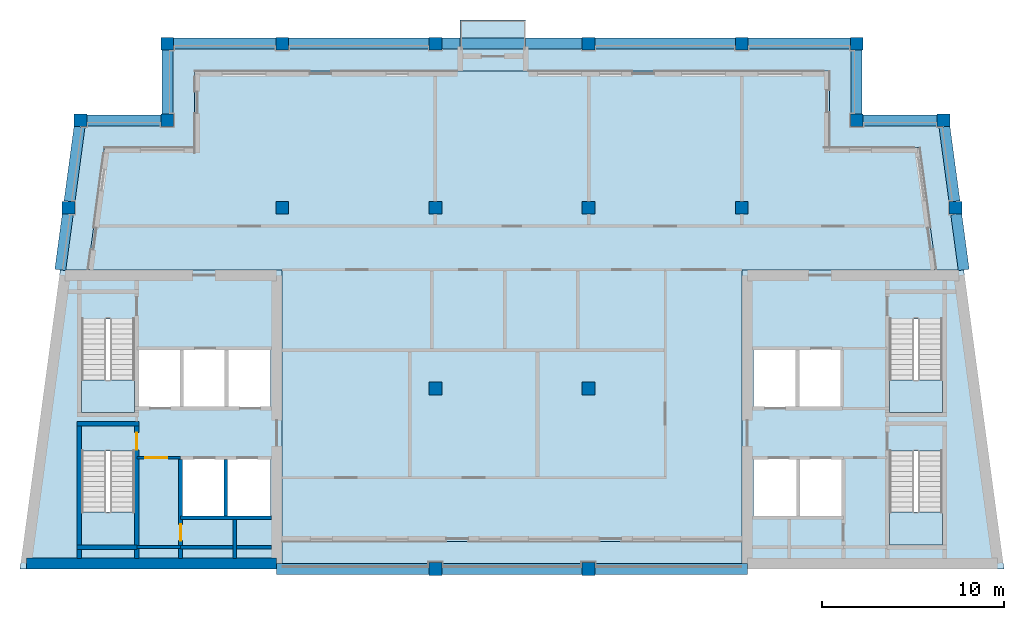
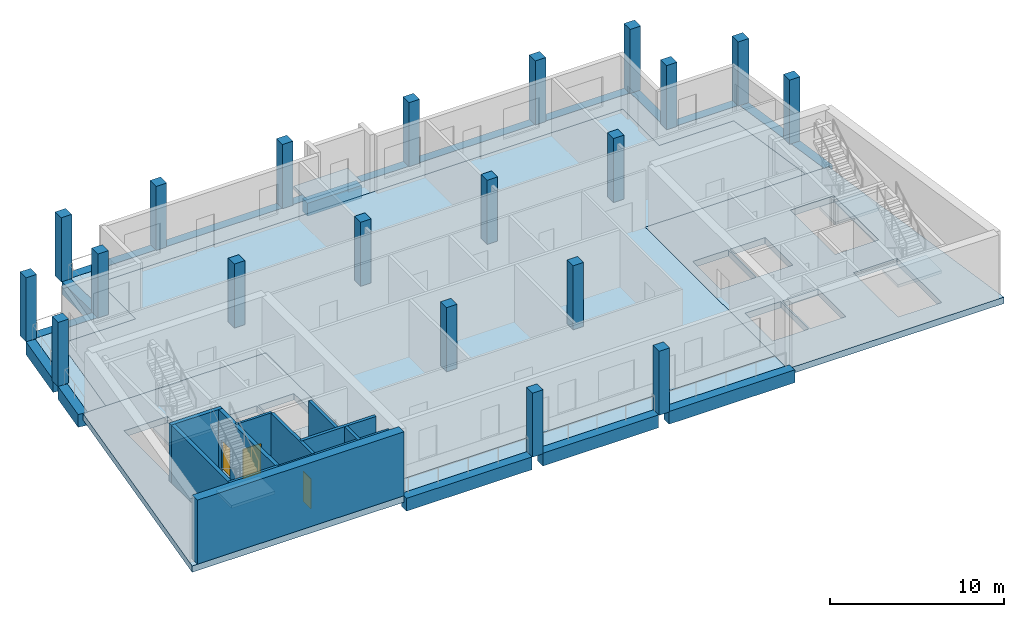
# One storey, part 1 of 8: 20 columns, 18 beams, 12 walls, 10 slabs, 3 doors, 3 openings, 4 elements without a shape of their own.
"""IFC4 building model written with IfcOpenShell, lengths in metres."""

import ifcopenshell
import ifcopenshell.guid

model = None  # the IFC model being written
_history = None  # IfcOwnerHistory: only IFC2X3 demands one
_inside = {}  # id of a spatial element -> (the spatial element, [elements in it])
_under = {}  # id of a project, library or spatial element -> (it, [spatial elements below it])
_declared = {}  # id of a project -> (the project, [libraries it declares])
_typed = {}  # id of a type object -> (the type object, [elements of that type])
_made_of = {}  # id of a material, layer set ... -> (it, [elements and type objects made of it])


def new_model(schema):
    """Start an empty IFC model of exactly this schema.

    Asked for "IFC4X3", IfcOpenShell would pick the latest addendum, in which some entities
    have other attributes; the version numbers below select the first issue.
    IFC2X3 requires an IfcOwnerHistory on every rooted entity: one is made here for all.
    """
    global model, _history
    if schema == "IFC4X3":
        model = ifcopenshell.file(schema_version=(4, 3, 0, 0))
    else:
        model = ifcopenshell.file(schema=schema)
    _inside.clear()
    _under.clear()
    _declared.clear()
    _typed.clear()
    _made_of.clear()
    _history = None
    if model.schema == "IFC2X3":
        org = make("IfcOrganization", Name="unknown")
        user = make(
            "IfcPersonAndOrganization",
            ThePerson=make("IfcPerson", FamilyName="unknown"),
            TheOrganization=org,
        )
        app = make(
            "IfcApplication",
            ApplicationDeveloper=org,
            Version="unknown",
            ApplicationFullName="unknown",
            ApplicationIdentifier="unknown",
        )
        _history = make(
            "IfcOwnerHistory",
            OwningUser=user,
            OwningApplication=app,
            ChangeAction="ADDED",
            CreationDate=0,
        )
    return model


def make(cls, **values):
    """One entity of the class cls with the attributes given. An attribute that is None is left unset."""
    return model.create_entity(
        cls, **{name: value for name, value in values.items() if value is not None}
    )


def rooted(cls, **values):
    """An entity with a GlobalId (a new one), such as an element, a storey or a relation."""
    return make(cls, GlobalId=ifcopenshell.guid.new(), OwnerHistory=_history, **values)


def si_unit(unit_type, name, prefix=None):
    """IfcSIUnit, for example si_unit("LENGTHUNIT", "METRE", prefix="MILLI")."""
    return make("IfcSIUnit", UnitType=unit_type, Prefix=prefix, Name=name)


def assignment(units):
    """IfcUnitAssignment: the units of a project."""
    return None if units is None else make("IfcUnitAssignment", Units=units)


def point(xyz):
    """IfcCartesianPoint."""
    return None if xyz is None else make("IfcCartesianPoint", Coordinates=xyz)


def direction(xyz):
    """IfcDirection."""
    return None if xyz is None else make("IfcDirection", DirectionRatios=xyz)


def frame(location, z_axis=None, x_axis=None):
    """IfcAxis2Placement3D, a coordinate frame: its origin and axes. An axis left out is left unset."""
    return make(
        "IfcAxis2Placement3D",
        Location=point(location),
        Axis=direction(z_axis),
        RefDirection=direction(x_axis),
    )


def frame_2d(location, x_axis=None):
    """IfcAxis2Placement2D, a coordinate frame in the plane: its origin and x axis."""
    return make(
        "IfcAxis2Placement2D", Location=point(location), RefDirection=direction(x_axis)
    )


def origin():
    """The frame at (0, 0, 0) with its axes left unset."""
    return frame((0.0, 0.0, 0.0))


def origin_2d():
    """The frame at (0, 0) in the plane with its x axis left unset."""
    return frame_2d((0.0, 0.0))


def place(relative_to, where):
    """IfcLocalPlacement: puts the frame where relative to a parent placement (None: the world)."""
    return make(
        "IfcLocalPlacement", PlacementRelTo=relative_to, RelativePlacement=where
    )


def context(
    kind, dimensions, precision=None, world=None, true_north=None, identifier=None
):
    """IfcGeometricRepresentationContext, for example the 3D "Model" context."""
    return make(
        "IfcGeometricRepresentationContext",
        ContextIdentifier=identifier,
        ContextType=kind,
        CoordinateSpaceDimension=dimensions,
        Precision=precision,
        WorldCoordinateSystem=world,
        TrueNorth=true_north,
    )


def subcontext(parent, identifier, kind, view, scale=None):
    """IfcGeometricRepresentationSubContext, for example "Body" below "Model"."""
    return make(
        "IfcGeometricRepresentationSubContext",
        ContextIdentifier=identifier,
        ContextType=kind,
        ParentContext=parent,
        TargetScale=scale,
        TargetView=view,
    )


def project(units=None, contexts=None):
    """IfcProject with its units and contexts."""
    return rooted(
        "IfcProject",
        Name="project",
        RepresentationContexts=contexts,
        UnitsInContext=assignment(units),
    )


def spatial(cls, under=None, at=None, **own):
    """A site, building, storey or space (cls), placed at a placement, below another one or the project."""
    s = rooted(cls, ObjectPlacement=at, **own)
    if under is not None:
        _under.setdefault(under.id(), (under, []))[1].append(s)
    return s


def polyline(points):
    """IfcPolyline through the points."""
    return make("IfcPolyline", Points=[point(p) for p in points])


def profile(cls, at=None, kind="AREA", **sizes):
    """A parametric profile (cls). Its sizes go by their IFC names, for example OverallWidth=200.0."""
    return make(cls, ProfileType=kind, Position=at, **sizes)


def rectangle(**sizes):
    """IfcRectangleProfileDef."""
    return profile("IfcRectangleProfileDef", **sizes)


def outline(outer, holes=None, kind="AREA"):
    """IfcArbitraryClosedProfileDef: a profile drawn as a closed curve; with holes, ...WithVoids."""
    if holes is None:
        return make("IfcArbitraryClosedProfileDef", ProfileType=kind, OuterCurve=outer)
    return make(
        "IfcArbitraryProfileDefWithVoids",
        ProfileType=kind,
        OuterCurve=outer,
        InnerCurves=holes,
    )


def extrude(swept, where, along, depth):
    """IfcExtrudedAreaSolid: the profile swept, set in the frame where, extruded along a direction by depth."""
    return make(
        "IfcExtrudedAreaSolid",
        SweptArea=swept,
        Position=where,
        ExtrudedDirection=direction(along),
        Depth=depth,
    )


def shape(context_of_items, identifier, shape_type, items):
    """IfcShapeRepresentation: the items that make up one representation, for example the "Body"."""
    return make(
        "IfcShapeRepresentation",
        ContextOfItems=context_of_items,
        RepresentationIdentifier=identifier,
        RepresentationType=shape_type,
        Items=items,
    )


def material(Name=None, Category=None):
    """IfcMaterial."""
    return make("IfcMaterial", Name=Name, Category=Category)


def layer(
    of_material, thickness, ventilated=None, Name=None, Category=None, Priority=None
):
    """IfcMaterialLayer: one layer of a wall or slab, of a material (None: an air gap)."""
    return make(
        "IfcMaterialLayer",
        Material=of_material,
        LayerThickness=thickness,
        IsVentilated=ventilated,
        Name=Name,
        Category=Category,
        Priority=Priority,
    )


def layer_set(layers, Name=None):
    """IfcMaterialLayerSet."""
    return make("IfcMaterialLayerSet", MaterialLayers=layers, LayerSetName=Name)


def material_profile(
    of_material, cross_section, Name=None, Category=None, Priority=None
):
    """IfcMaterialProfile: a cross section and its material."""
    return make(
        "IfcMaterialProfile",
        Name=Name,
        Material=of_material,
        Profile=cross_section,
        Priority=Priority,
        Category=Category,
    )


def profile_set(profiles, Name=None, composite=None):
    """IfcMaterialProfileSet."""
    return make(
        "IfcMaterialProfileSet",
        Name=Name,
        MaterialProfiles=profiles,
        CompositeProfile=composite,
    )


def made_of(thing, what):
    """Note that an element or type object is made of a material, layer set ...; save() writes the relation."""
    if what is not None:
        _made_of.setdefault(what.id(), (what, []))[1].append(thing)
    return thing


def type_object(cls, material=None, **own):
    """A type object (cls), such as IfcWallType, which elements share."""
    return made_of(rooted(cls, **own), material)


def element(
    cls,
    number,
    at=None,
    inside=None,
    cuts=None,
    type_object=None,
    material=None,
    context=None,
    identifier="Body",
    shape_type=None,
    held_by="IfcProductDefinitionShape",
    body=None,
    shapes=None,
    **own,
):
    """One element of the class cls, such as IfcWall. Its Tag is "e" and its number.

    at: its placement. inside: the storey or other place that contains it. cuts: it is an
    opening in that element (IfcRelVoidsElement). A single representation is given by context,
    identifier, shape_type and body (its items); several are given by shapes. held_by: the class
    of the entity that holds the representations. save() writes the other relations.
    """
    e = rooted(cls, Tag="e%d" % number, ObjectPlacement=at, **own)
    if body is not None:
        shapes = [shape(context, identifier, shape_type, body)]
    if shapes is not None:
        e.Representation = make(held_by, Representations=shapes)
    if inside is not None:
        _inside.setdefault(inside.id(), (inside, []))[1].append(e)
    if cuts is not None:
        rooted(
            "IfcRelVoidsElement", RelatingBuildingElement=cuts, RelatedOpeningElement=e
        )
    if type_object is not None:
        _typed.setdefault(type_object.id(), (type_object, []))[1].append(e)
    return made_of(e, material)


def fill(opening, filler):
    """IfcRelFillsElement: the door or window that sits in an opening."""
    return rooted(
        "IfcRelFillsElement",
        RelatingOpeningElement=opening,
        RelatedBuildingElement=filler,
    )


def aggregate(whole, parts):
    """IfcRelAggregates: a whole, such as a stair, and the parts it consists of."""
    return rooted("IfcRelAggregates", RelatingObject=whole, RelatedObjects=parts)


def save(model, path):
    """Write the relations noted so far, then the file.

    IfcRelAggregates (storeys below a building ...), IfcRelContainedInSpatialStructure (elements
    in a storey), IfcRelDefinesByType, IfcRelAssociatesMaterial and IfcRelDeclares: one each for
    every whole, place, type object, material and project.
    """
    for whole, parts in _under.values():
        aggregate(whole, parts)
    for where, things in _inside.values():
        rooted(
            "IfcRelContainedInSpatialStructure",
            RelatedElements=things,
            RelatingStructure=where,
        )
    for kind, things in _typed.values():
        rooted("IfcRelDefinesByType", RelatedObjects=things, RelatingType=kind)
    for what, things in _made_of.values():
        rooted("IfcRelAssociatesMaterial", RelatedObjects=things, RelatingMaterial=what)
    for by, libraries in _declared.values():
        rooted("IfcRelDeclares", RelatingContext=by, RelatedDefinitions=libraries)
    model.write(path)


model = new_model("IFC4")

# Units and contexts
model_context = context("Model", 3, precision=1e-05, world=origin(), true_north=direction((0.0, 1.0)))
body_context = subcontext(model_context, "Body", "Model", "MODEL_VIEW")
ifc_project = project(units=[si_unit("LENGTHUNIT", "METRE"), si_unit("AREAUNIT", "SQUARE_METRE"), si_unit("VOLUMEUNIT", "CUBIC_METRE"), si_unit("PLANEANGLEUNIT", "RADIAN"), si_unit("MASSUNIT", "GRAM", prefix="KILO")], contexts=[model_context])

# Site, building, storey
site_placement = place(None, origin())
site = spatial("IfcSite", under=ifc_project, at=site_placement, CompositionType="ELEMENT")
building_placement = place(site_placement, origin())
building = spatial("IfcBuilding", under=site, at=building_placement, Name="Candeia Pilgrim Tower and Theatre", CompositionType="ELEMENT")
storey_placement = place(building_placement, frame((0.0, 0.0, 315.39990234375)))
storey = spatial("IfcBuildingStorey", under=building, at=storey_placement, Name="L76", CompositionType="ELEMENT", Elevation=315.39990234375)

# Columns
ifc_material_1 = material(Name="Concrete C40/50", Category="concrete")
ifc_material_profile_1 = material_profile(ifc_material_1, rectangle(XDim=0.699951171875, YDim=0.699951171875, at=origin_2d()))
ifc_profile_set_1 = profile_set([ifc_material_profile_1], Name="Concrete C40/50")
column_type = type_object("IfcColumnType", Name="RC 700x700 C40/50", PredefinedType="COLUMN", material=ifc_profile_set_1)
for number, where, z_axis, x_axis, name in (
    (1, (94.5, 140.60009765625, 0.0), (0.0, 0.0, 1.0), (1.0, 0.0, 0.0), "Column NNW"),
    (2, (132.300048828125, 140.60009765625, 0.0), (0.0, 0.0, 1.0), (1.0, 0.0, 0.0), "Column NNE"),
    (3, (89.734619140625, 140.60009765625, 0.0), (0.0, 0.0, 1.0), (1.0, 0.0, 0.0), "Column LNW"),
    (4, (137.0654296875, 140.60009765625, 0.0), (0.0, 0.0, 1.0), (1.0, 0.0, 0.0), "Column LNE"),
    (5, (109.199951171875, 116.0, 0.0), (0.0, 0.0, 1.0), (1.0, 0.0, 0.0), "Column C3"),
    (6, (117.60009765625, 116.0, 0.0), (0.0, 0.0, 1.0), (1.0, 0.0, 0.0), "Column C4"),
    (7, (109.199951171875, 125.89990234375, 0.0), (0.0, 0.0, 1.0), (1.0, 0.0, 0.0), "Column D3"),
    (8, (117.60009765625, 125.89990234375, 0.0), (0.0, 0.0, 1.0), (1.0, 0.0, 0.0), "Column D4"),
    (9, (100.800048828125, 135.800048828125, 0.0), (0.0, 0.0, 1.0), (1.0, 0.0, 0.0), "Column E2"),
    (10, (109.199951171875, 135.800048828125, 0.0), (0.0, 0.0, 1.0), (1.0, 0.0, 0.0), "Column E3"),
    (11, (117.60009765625, 135.800048828125, 0.0), (0.0, 0.0, 1.0), (1.0, 0.0, 0.0), "Column E4"),
    (12, (126.0, 135.800048828125, 0.0), (0.0, 0.0, 1.0), (1.0, 0.0, 0.0), "Column E5"),
    (13, (89.08837890625, 135.800048828125, 0.0), (0.0, 0.0, 1.0), (1.0, 0.0, 0.0), "Column EW"),
    (14, (137.71142578125, 135.800048828125, 0.0), (0.0, 0.0, 1.0), (1.0, 0.0, 0.0), "Column EE"),
    (15, (100.800048828125, 144.800048828125, 0.0), (0.0, 0.0, 1.0), (1.0, 0.0, 0.0), "Column F2"),
    (16, (109.199951171875, 144.800048828125, 0.0), (0.0, 0.0, 1.0), (1.0, 0.0, 0.0), "Column F3"),
    (17, (117.60009765625, 144.800048828125, 0.0), (0.0, 0.0, 1.0), (1.0, 0.0, 0.0), "Column F4"),
    (18, (126.0, 144.800048828125, 0.0), (0.0, 0.0, 1.0), (1.0, 0.0, 0.0), "Column F5"),
    (19, (94.5, 144.800048828125, 0.0), (0.0, 0.0, 1.0), (1.0, 0.0, 0.0), "Column FW"),
    (20, (132.300048828125, 144.800048828125, 0.0), (0.0, 0.0, 1.0), (1.0, 0.0, 0.0), "Column FE"),
):
    element("IfcColumn", number, at=place(storey_placement, frame(where, z_axis=z_axis, x_axis=x_axis)), inside=storey, type_object=column_type, Name=name, PredefinedType="COLUMN", context=body_context, shape_type="SweptSolid", body=[
        extrude(rectangle(XDim=0.699951171875, YDim=0.699951171875, at=origin_2d()), origin(), (0.0, 0.0, 1.0), 4.5),
    ])

# Beams
ifc_material_profile_2 = material_profile(ifc_material_1, rectangle(XDim=0.60009765625, YDim=0.89990234375, at=origin_2d()))
ifc_profile_set_2 = profile_set([ifc_material_profile_2], Name="Concrete C40/50")
beam_type = type_object("IfcBeamType", Name="RC 600x900 C40/50", PredefinedType="BEAM", material=ifc_profile_set_2)
beam_1_placement = place(storey_placement, frame((90.084716796875, 140.60009765625, -0.449951171875), z_axis=(1.0, 0.0, 0.0), x_axis=(0.0, 1.0, 0.0)))
element("IfcBeam", 21, at=beam_1_placement, inside=storey, type_object=beam_type, Name="Spandrel beam L76-01", PredefinedType="BEAM", context=body_context, shape_type="SweptSolid", body=[
    extrude(rectangle(XDim=0.60009765625, YDim=0.89990234375, at=origin_2d()), origin(), (0.0, 0.0, 1.0), 4.065185546875),
])
beam_2_placement = place(storey_placement, frame((94.5, 140.949951171875, -0.449951171875), z_axis=(0.0, 1.0, 0.0), x_axis=(-1.0, 0.0, 0.0)))
element("IfcBeam", 22, at=beam_2_placement, inside=storey, type_object=beam_type, Name="Spandrel beam L76-02", PredefinedType="BEAM", context=body_context, shape_type="SweptSolid", body=[
    extrude(rectangle(XDim=0.60009765625, YDim=0.89990234375, at=origin_2d()), origin(), (0.0, 0.0, 1.0), 3.5),
])
beam_3_placement = place(storey_placement, frame((94.85009765625, 144.800048828125, -0.449951171875), z_axis=(1.0, 0.0, 0.0), x_axis=(0.0, 1.0, 0.0)))
element("IfcBeam", 23, at=beam_3_placement, inside=storey, type_object=beam_type, Name="Spandrel beam L76-03", PredefinedType="BEAM", context=body_context, shape_type="SweptSolid", body=[
    extrude(rectangle(XDim=0.60009765625, YDim=0.89990234375, at=origin_2d()), origin(), (0.0, 0.0, 1.0), 5.599853515625),
])
beam_4_placement = place(storey_placement, frame((101.14990234375, 144.800048828125, -0.449951171875), z_axis=(1.0, 0.0, 0.0), x_axis=(0.0, 1.0, 0.0)))
element("IfcBeam", 24, at=beam_4_placement, inside=storey, type_object=beam_type, Name="Spandrel beam L76-04", PredefinedType="BEAM", context=body_context, shape_type="SweptSolid", body=[
    extrude(rectangle(XDim=0.60009765625, YDim=0.89990234375, at=origin_2d()), origin(), (0.0, 0.0, 1.0), 7.7001953125),
])
beam_5_placement = place(storey_placement, frame((109.550048828125, 144.800048828125, -0.449951171875), z_axis=(1.0, 0.0, 0.0), x_axis=(0.0, 1.0, 0.0)))
element("IfcBeam", 25, at=beam_5_placement, inside=storey, type_object=beam_type, Name="Spandrel beam L76-05", PredefinedType="BEAM", context=body_context, shape_type="SweptSolid", body=[
    extrude(rectangle(XDim=0.60009765625, YDim=0.89990234375, at=origin_2d()), origin(), (0.0, 0.0, 1.0), 1.0),
])
beam_6_placement = place(storey_placement, frame((110.550048828125, 144.800048828125, -0.699951171875), z_axis=(1.0, 0.0, 0.0), x_axis=(0.0, 1.0, 0.0)))
element("IfcBeam", 26, at=beam_6_placement, inside=storey, type_object=beam_type, Name="Spandrel beam L76-06", PredefinedType="BEAM", context=body_context, shape_type="SweptSolid", body=[
    extrude(rectangle(XDim=0.60009765625, YDim=0.89990234375, at=origin_2d()), origin(), (0.0, 0.0, 1.0), 3.599853515625),
])
beam_7_placement = place(storey_placement, frame((114.14990234375, 144.800048828125, -0.449951171875), z_axis=(1.0, 0.0, 0.0), x_axis=(0.0, 1.0, 0.0)))
element("IfcBeam", 27, at=beam_7_placement, inside=storey, type_object=beam_type, Name="Spandrel beam L76-07", PredefinedType="BEAM", context=body_context, shape_type="SweptSolid", body=[
    extrude(rectangle(XDim=0.60009765625, YDim=0.89990234375, at=origin_2d()), origin(), (0.0, 0.0, 1.0), 3.10009765625),
])
beam_8_placement = place(storey_placement, frame((117.949951171875, 144.800048828125, -0.449951171875), z_axis=(1.0, 0.0, 0.0), x_axis=(0.0, 1.0, 0.0)))
element("IfcBeam", 28, at=beam_8_placement, inside=storey, type_object=beam_type, Name="Spandrel beam L76-08", PredefinedType="BEAM", context=body_context, shape_type="SweptSolid", body=[
    extrude(rectangle(XDim=0.60009765625, YDim=0.89990234375, at=origin_2d()), origin(), (0.0, 0.0, 1.0), 7.699951171875),
])
beam_9_placement = place(storey_placement, frame((126.35009765625, 144.800048828125, -0.449951171875), z_axis=(1.0, 0.0, 0.0), x_axis=(0.0, 1.0, 0.0)))
element("IfcBeam", 29, at=beam_9_placement, inside=storey, type_object=beam_type, Name="Spandrel beam L76-09", PredefinedType="BEAM", context=body_context, shape_type="SweptSolid", body=[
    extrude(rectangle(XDim=0.60009765625, YDim=0.89990234375, at=origin_2d()), origin(), (0.0, 0.0, 1.0), 5.599853515625),
])
beam_10_placement = place(storey_placement, frame((132.300048828125, 144.449951171875, -0.449951171875), z_axis=(0.0, -1.0, 0.0), x_axis=(1.0, 0.0, 0.0)))
element("IfcBeam", 30, at=beam_10_placement, inside=storey, type_object=beam_type, Name="Spandrel beam L76-10", PredefinedType="BEAM", context=body_context, shape_type="SweptSolid", body=[
    extrude(rectangle(XDim=0.60009765625, YDim=0.89990234375, at=origin_2d()), origin(), (0.0, 0.0, 1.0), 3.5),
])
beam_11_placement = place(storey_placement, frame((132.64990234375, 140.60009765625, -0.449951171875), z_axis=(1.0, 0.0, 0.0), x_axis=(0.0, 1.0, 0.0)))
element("IfcBeam", 31, at=beam_11_placement, inside=storey, type_object=beam_type, Name="Spandrel beam L76-11", PredefinedType="BEAM", context=body_context, shape_type="SweptSolid", body=[
    extrude(rectangle(XDim=0.60009765625, YDim=0.89990234375, at=origin_2d()), origin(), (0.0, 0.0, 1.0), 4.0654296875),
])
beam_12_placement = place(storey_placement, frame((137.112548828125, 140.25, -0.449951171875), z_axis=(0.133369654618, -0.991066362676, 0.0), x_axis=(0.991066362676, 0.133369654618, 0.0)))
element("IfcBeam", 32, at=beam_12_placement, inside=storey, type_object=beam_type, Name="Spandrel beam L76-12", PredefinedType="BEAM", context=body_context, shape_type="SweptSolid", body=[
    extrude(rectangle(XDim=0.60009765625, YDim=0.89990234375, at=origin_2d()), origin(), (0.0, 0.0, 1.0), 4.136962890625),
])
beam_13_placement = place(storey_placement, frame((137.758544921875, 135.449951171875, -0.449951171875), z_axis=(0.133431491393, -0.991058039221, 0.0), x_axis=(0.991058039221, 0.133431491393, 0.0)))
element("IfcBeam", 33, at=beam_13_placement, inside=storey, type_object=beam_type, Name="Spandrel beam L76-13", PredefinedType="BEAM", context=body_context, shape_type="SweptSolid", body=[
    extrude(rectangle(XDim=0.60009765625, YDim=0.89990234375, at=origin_2d()), origin(), (0.0, 0.0, 1.0), 3.07763671875),
])
beam_14_placement = place(storey_placement, frame((126.300048828125, 116.0, -0.449951171875), z_axis=(-1.0, 0.0, 0.0), x_axis=(0.0, -1.0, 0.0)))
element("IfcBeam", 34, at=beam_14_placement, inside=storey, type_object=beam_type, Name="Spandrel beam L76-14", PredefinedType="BEAM", context=body_context, shape_type="SweptSolid", body=[
    extrude(rectangle(XDim=0.60009765625, YDim=0.89990234375, at=origin_2d()), origin(), (0.0, 0.0, 1.0), 8.35009765625),
])
beam_15_placement = place(storey_placement, frame((117.25, 116.0, -0.449951171875), z_axis=(-1.0, 0.0, 0.0), x_axis=(0.0, -1.0, 0.0)))
element("IfcBeam", 35, at=beam_15_placement, inside=storey, type_object=beam_type, Name="Spandrel beam L76-15", PredefinedType="BEAM", context=body_context, shape_type="SweptSolid", body=[
    extrude(rectangle(XDim=0.60009765625, YDim=0.89990234375, at=origin_2d()), origin(), (0.0, 0.0, 1.0), 7.699951171875),
])
beam_16_placement = place(storey_placement, frame((108.85009765625, 116.0, -0.449951171875), z_axis=(-1.0, 0.0, 0.0), x_axis=(0.0, -1.0, 0.0)))
element("IfcBeam", 36, at=beam_16_placement, inside=storey, type_object=beam_type, Name="Spandrel beam L76-16", PredefinedType="BEAM", context=body_context, shape_type="SweptSolid", body=[
    extrude(rectangle(XDim=0.60009765625, YDim=0.89990234375, at=origin_2d()), origin(), (0.0, 0.0, 1.0), 8.35009765625),
])
beam_17_placement = place(storey_placement, frame((88.630859375, 132.39990234375, -0.449951171875), z_axis=(0.13335357346, 0.991068526614, 0.0), x_axis=(-0.991068526614, 0.13335357346, 0.0)))
element("IfcBeam", 37, at=beam_17_placement, inside=storey, type_object=beam_type, Name="Spandrel beam L76-17", PredefinedType="BEAM", context=body_context, shape_type="SweptSolid", body=[
    extrude(rectangle(XDim=0.60009765625, YDim=0.89990234375, at=origin_2d()), origin(), (0.0, 0.0, 1.0), 3.07763671875),
])
beam_18_placement = place(storey_placement, frame((89.135498046875, 136.14990234375, -0.449951171875), z_axis=(0.133427617361, 0.991058560795, 0.0), x_axis=(-0.991058560795, 0.133427617361, 0.0)))
element("IfcBeam", 38, at=beam_18_placement, inside=storey, type_object=beam_type, Name="Spandrel beam L76-18", PredefinedType="BEAM", context=body_context, shape_type="SweptSolid", body=[
    extrude(rectangle(XDim=0.60009765625, YDim=0.89990234375, at=origin_2d()), origin(), (0.0, 0.0, 1.0), 4.13720703125),
])

# Slabs
ifc_layer_1 = layer(ifc_material_1, 0.25)
ifc_layer_set_1 = layer_set([ifc_layer_1], Name="BK1 balcony slab 250")
slab_type_1 = type_object("IfcSlabType", Name="BK1 balcony slab 250", PredefinedType="USERDEFINED", material=ifc_layer_set_1)
slab_1_placement = place(storey_placement, frame((0.0, 0.0, -0.25)))
element("IfcSlab", 39, at=slab_1_placement, inside=storey, type_object=slab_type_1, Name="Balcony L76", ObjectType="BALCONY", PredefinedType="USERDEFINED", context=body_context, shape_type="SweptSolid", body=[
    extrude(outline(polyline([(110.550048828125, 144.5), (114.14990234375, 144.5), (114.14990234375, 146.10009765625), (110.550048828125, 146.10009765625), (110.550048828125, 144.5)])), origin(), (0.0, 0.0, 1.0), 0.25),
])
ifc_material_2 = material(Name="Concrete C60/75", Category="concrete")
ifc_layer_2 = layer(ifc_material_2, 0.449951171875)
ifc_layer_set_2 = layer_set([ifc_layer_2], Name="FS-CORE 450 core floor")
slab_type_2 = type_object("IfcSlabType", Name="FS-CORE 450 core floor", PredefinedType="FLOOR", material=ifc_layer_set_2)
slab_2_placement = place(storey_placement, frame((0.0, 0.0, -0.449951171875)))
element("IfcSlab", 40, at=slab_2_placement, inside=storey, type_object=slab_type_2, Name="Core floor W L76", PredefinedType="FLOOR", context=body_context, shape_type="SweptSolid", body=[
    extrude(outline(polyline([(100.800048828125, 132.39990234375), (100.800048828125, 116.0), (86.423095703125, 116.0), (88.630859375, 132.39990234375), (100.800048828125, 132.39990234375)]), holes=[polyline([(97.763427734375, 122.050048828125), (97.763427734375, 118.85009765625), (100.14990234375, 118.85009765625), (100.14990234375, 122.050048828125), (97.763427734375, 122.050048828125)]), polyline([(97.792236328125, 128.050048828125), (97.792236328125, 124.85009765625), (100.14990234375, 124.85009765625), (100.14990234375, 128.050048828125), (97.792236328125, 128.050048828125)]), polyline([(95.334716796875, 128.050048828125), (95.334716796875, 124.85009765625), (97.6923828125, 124.85009765625), (97.6923828125, 128.050048828125), (95.334716796875, 128.050048828125)]), polyline([(95.277099609375, 122.050048828125), (95.277099609375, 118.85009765625), (97.66357421875, 118.85009765625), (97.66357421875, 122.050048828125), (95.277099609375, 122.050048828125)]), polyline([(92.876953125, 128.050048828125), (92.876953125, 124.85009765625), (95.234619140625, 124.85009765625), (95.234619140625, 128.050048828125), (92.876953125, 128.050048828125)]), polyline([(89.802001953125, 117.324951171875), (92.701904296875, 117.324951171875), (92.701904296875, 122.455078125), (89.802001953125, 122.455078125), (89.802001953125, 117.324951171875)]), polyline([(89.802001953125, 129.705078125), (89.802001953125, 124.574951171875), (92.701904296875, 124.574951171875), (92.701904296875, 129.705078125), (89.802001953125, 129.705078125)])]), origin(), (0.0, 0.0, 1.0), 0.449951171875),
])
slab_3_placement = place(storey_placement, frame((0.0, 0.0, -0.449951171875)))
element("IfcSlab", 41, at=slab_3_placement, inside=storey, type_object=slab_type_2, Name="Core floor E L76", PredefinedType="FLOOR", context=body_context, shape_type="SweptSolid", body=[
    extrude(outline(polyline([(138.169189453125, 132.39990234375), (140.376953125, 116.0), (126.0, 116.0), (126.0, 132.39990234375), (138.169189453125, 132.39990234375)]), holes=[polyline([(134.097900390625, 117.324951171875), (136.998046875, 117.324951171875), (136.998046875, 122.455078125), (134.097900390625, 122.455078125), (134.097900390625, 117.324951171875)]), polyline([(134.097900390625, 129.705078125), (134.097900390625, 124.574951171875), (136.998046875, 124.574951171875), (136.998046875, 129.705078125), (134.097900390625, 129.705078125)]), polyline([(131.52294921875, 122.050048828125), (129.136474609375, 122.050048828125), (129.136474609375, 118.85009765625), (131.52294921875, 118.85009765625), (131.52294921875, 122.050048828125)]), polyline([(131.46533203125, 128.050048828125), (129.107666015625, 128.050048828125), (129.107666015625, 124.85009765625), (131.46533203125, 124.85009765625), (131.46533203125, 128.050048828125)]), polyline([(129.03662109375, 122.050048828125), (126.64990234375, 122.050048828125), (126.64990234375, 118.85009765625), (129.03662109375, 118.85009765625), (129.03662109375, 122.050048828125)]), polyline([(126.64990234375, 128.050048828125), (126.64990234375, 124.85009765625), (129.0078125, 124.85009765625), (129.0078125, 128.050048828125), (126.64990234375, 128.050048828125)])]), origin(), (0.0, 0.0, 1.0), 0.449951171875),
])
ifc_material_3 = material(Name="Concrete C50/60", Category="concrete")
ifc_layer_3 = layer(ifc_material_3, 0.449951171875)
ifc_layer_set_3 = layer_set([ifc_layer_3], Name="Floor slab 450 C50/60")
slab_type_3 = type_object("IfcSlabType", Name="Floor slab 450 C50/60", PredefinedType="FLOOR", material=ifc_layer_set_3)
slab_4_placement = place(storey_placement, frame((0.0, 0.0, -0.449951171875)))
element("IfcSlab", 42, at=slab_4_placement, inside=storey, type_object=slab_type_3, Name="Floor slab L76", PredefinedType="FLOOR", context=body_context, shape_type="SweptSolid", body=[
    extrude(outline(polyline([(96.0, 139.10009765625), (96.0, 143.300048828125), (130.800048828125, 143.300048828125), (130.800048828125, 139.10009765625), (135.753662109375, 139.10009765625), (136.65576171875, 132.39990234375), (126.0, 132.39990234375), (126.0, 117.5), (100.800048828125, 117.5), (100.800048828125, 132.39990234375), (90.144287109375, 132.39990234375), (91.046142578125, 139.10009765625), (96.0, 139.10009765625)])), origin(), (0.0, 0.0, 1.0), 0.449951171875),
])
ifc_layer_4 = layer(ifc_material_1, 0.25)
ifc_layer_set_4 = layer_set([ifc_layer_4], Name="Loggia slab 250 C40/50")
slab_type_4 = type_object("IfcSlabType", Name="Loggia slab 250 C40/50", PredefinedType="FLOOR", material=ifc_layer_set_4)
slab_5_placement = place(storey_placement, frame((0.0, 0.0, -0.25)))
element("IfcSlab", 43, at=slab_5_placement, inside=storey, type_object=slab_type_4, Name="Loggia slab L76 1", PredefinedType="FLOOR", context=body_context, shape_type="SweptSolid", body=[
    extrude(outline(polyline([(100.800048828125, 117.5), (126.0, 117.5), (126.0, 116.300048828125), (100.800048828125, 116.300048828125), (100.800048828125, 117.5)])), origin(), (0.0, 0.0, 1.0), 0.25),
])
slab_6_placement = place(storey_placement, frame((0.0, 0.0, -0.25)))
element("IfcSlab", 44, at=slab_6_placement, inside=storey, type_object=slab_type_4, Name="Loggia slab L76 2", PredefinedType="FLOOR", context=body_context, shape_type="SweptSolid", body=[
    extrude(outline(polyline([(136.65576171875, 132.39990234375), (135.753662109375, 139.10009765625), (130.800048828125, 139.10009765625), (130.800048828125, 143.300048828125), (96.0, 143.300048828125), (96.0, 139.10009765625), (91.046142578125, 139.10009765625), (90.144287109375, 132.39990234375), (88.93359375, 132.39990234375), (89.996826171875, 140.300048828125), (94.800048828125, 140.300048828125), (94.800048828125, 144.5), (132.0, 144.5), (132.0, 140.300048828125), (136.802978515625, 140.300048828125), (137.866455078125, 132.39990234375), (136.65576171875, 132.39990234375)])), origin(), (0.0, 0.0, 1.0), 0.25),
])

# Stair, slab
stair_type = type_object("IfcStairType", Name="ST-TWR dog-leg escape stair", PredefinedType="HALF_TURN_STAIR", material=ifc_material_1)
stair_1_placement = place(storey_placement, origin())
stair_1 = element("IfcStair", 45, at=stair_1_placement, inside=storey, type_object=stair_type, Name="L76 Escape stair ST1", PredefinedType="HALF_TURN_STAIR")
ifc_layer_5 = layer(ifc_material_1, 0.199951171875)
ifc_layer_set_5 = layer_set([ifc_layer_5], Name="SL-LANDING stair landing")
slab_type_5 = type_object("IfcSlabType", Name="SL-LANDING stair landing", PredefinedType="LANDING", material=ifc_layer_set_5)
slab_7_placement = place(storey_placement, frame((0.0, 0.0, 2.050048828125)))
slab_7 = element("IfcSlab", 46, at=slab_7_placement, type_object=slab_type_5, Name="ST1 landing 1", PredefinedType="LANDING", context=body_context, shape_type="SweptSolid", body=[
    extrude(outline(polyline([(89.802001953125, 119.114990234375), (89.802001953125, 117.324951171875), (92.701904296875, 117.324951171875), (92.701904296875, 119.114990234375), (89.802001953125, 119.114990234375)])), origin(), (0.0, 0.0, 1.0), 0.199951171875),
])
aggregate(stair_1, [slab_7])

stair_2_placement = place(storey_placement, origin())
stair_2 = element("IfcStair", 47, at=stair_2_placement, inside=storey, type_object=stair_type, Name="L76 Escape stair ST2", PredefinedType="HALF_TURN_STAIR")
slab_8_placement = place(storey_placement, frame((0.0, 0.0, 2.050048828125)))
slab_8 = element("IfcSlab", 48, at=slab_8_placement, type_object=slab_type_5, Name="ST2 landing 1", PredefinedType="LANDING", context=body_context, shape_type="SweptSolid", body=[
    extrude(outline(polyline([(89.802001953125, 126.364990234375), (89.802001953125, 124.574951171875), (92.701904296875, 124.574951171875), (92.701904296875, 126.364990234375), (89.802001953125, 126.364990234375)])), origin(), (0.0, 0.0, 1.0), 0.199951171875),
])
aggregate(stair_2, [slab_8])

stair_3_placement = place(storey_placement, origin())
stair_3 = element("IfcStair", 49, at=stair_3_placement, inside=storey, type_object=stair_type, Name="L76 Escape stair ST3", PredefinedType="HALF_TURN_STAIR")
slab_9_placement = place(storey_placement, frame((0.0, 0.0, 2.050048828125)))
slab_9 = element("IfcSlab", 50, at=slab_9_placement, type_object=slab_type_5, Name="ST3 landing 1", PredefinedType="LANDING", context=body_context, shape_type="SweptSolid", body=[
    extrude(outline(polyline([(134.097900390625, 119.114990234375), (134.097900390625, 117.324951171875), (136.998046875, 117.324951171875), (136.998046875, 119.114990234375), (134.097900390625, 119.114990234375)])), origin(), (0.0, 0.0, 1.0), 0.199951171875),
])
aggregate(stair_3, [slab_9])

stair_4_placement = place(storey_placement, origin())
stair_4 = element("IfcStair", 51, at=stair_4_placement, inside=storey, type_object=stair_type, Name="L76 Escape stair ST4", PredefinedType="HALF_TURN_STAIR")
slab_10_placement = place(storey_placement, frame((0.0, 0.0, 2.050048828125)))
slab_10 = element("IfcSlab", 52, at=slab_10_placement, type_object=slab_type_5, Name="ST4 landing 1", PredefinedType="LANDING", context=body_context, shape_type="SweptSolid", body=[
    extrude(outline(polyline([(134.097900390625, 126.364990234375), (134.097900390625, 124.574951171875), (136.998046875, 124.574951171875), (136.998046875, 126.364990234375), (134.097900390625, 126.364990234375)])), origin(), (0.0, 0.0, 1.0), 0.199951171875),
])
aggregate(stair_4, [slab_10])

# Walls
ifc_layer_6 = layer(ifc_material_1, 0.60009765625)
ifc_layer_set_6 = layer_set([ifc_layer_6], Name="Core wall 600 C40/50")
wall_type_1 = type_object("IfcWallType", Name="Core wall 600 C40/50", PredefinedType="SHEAR", material=ifc_layer_set_6)
wall_1_placement = place(storey_placement, frame((100.5, 116.300048828125, 0.0), z_axis=(0.0, 0.0, 1.0), x_axis=(-1.0, 0.0, 0.0)))
element("IfcWall", 53, at=wall_1_placement, inside=storey, type_object=wall_type_1, Name="Core wall W3", PredefinedType="SHEAR", context=body_context, shape_type="SweptSolid", body=[
    extrude(rectangle(XDim=13.73388671875, YDim=0.60009765625, at=frame_2d((6.866943359375, 0.0))), origin(), (0.0, 0.0, 1.0), 4.5),
])
ifc_material_4 = material(Name="Gypsum board partition on steel studs", Category="steel")
ifc_layer_7 = layer(ifc_material_4, 0.14990234375)
ifc_layer_set_7 = layer_set([ifc_layer_7], Name="PW-150 lobby wall")
wall_type_2 = type_object("IfcWallType", Name="PW-150 lobby wall", PredefinedType="PARTITIONING", material=ifc_layer_set_7)
wall_2_placement = place(storey_placement, frame((92.826904296875, 117.199951171875, 0.0), z_axis=(0.0, 0.0, 1.0), x_axis=(1.0, 0.0, 0.0)))
element("IfcWall", 54, at=wall_2_placement, inside=storey, type_object=wall_type_2, Name="Lobby wall L76-003", PredefinedType="PARTITIONING", context=body_context, shape_type="SweptSolid", body=[
    extrude(rectangle(XDim=2.400146484375, YDim=0.14990234375, at=frame_2d((1.2001953125, 0.0))), origin(), (0.0, 0.0, 1.0), 4.050048828125),
])

# Wall, opening, door
wall_3_placement = place(storey_placement, frame((92.826904296875, 122.10009765625, 0.0), z_axis=(0.0, 0.0, 1.0), x_axis=(1.0, 0.0, 0.0)))
wall_3 = element("IfcWall", 55, at=wall_3_placement, inside=storey, type_object=wall_type_2, Name="Lobby wall L76-012", PredefinedType="PARTITIONING", context=body_context, shape_type="SweptSolid", body=[
    extrude(rectangle(XDim=2.400146484375, YDim=0.14990234375, at=frame_2d((1.2001953125, 0.0))), origin(), (0.0, 0.0, 1.0), 4.050048828125),
])
opening_1_placement = place(wall_3_placement, frame((0.47509765625, 0.0, 0.0)))
opening_1 = element("IfcOpeningElement", 56, at=opening_1_placement, cuts=wall_3, Name="Opening L76-D013", PredefinedType="OPENING", context=body_context, shape_type="SweptSolid", body=[
    extrude(rectangle(XDim=1.199951171875, YDim=2.10009765625, at=frame_2d((0.60009765625, 1.050048828125))), frame((0.0, 0.0849609375, 0.0), z_axis=(0.0, -1.0, 0.0), x_axis=(1.0, 0.0, 0.0)), (0.0, 0.0, 1.0), 0.169921875),
])
ifc_material_5 = material(Name="Steel fire door set", Category="steel")
door_type_1 = type_object("IfcDoorType", Name="D-1200-FD60", OperationType="NOTDEFINED", PredefinedType="DOOR", material=ifc_material_5)
door_1_placement = place(opening_1_placement, origin())
door_1 = element("IfcDoor", 57, at=door_1_placement, inside=storey, type_object=door_type_1, Name="Door L76-D013", OperationType="SINGLE_SWING_LEFT", OverallHeight=2.10009765625, OverallWidth=1.199951171875, PredefinedType="DOOR", context=body_context, shape_type="SweptSolid", body=[
    extrude(rectangle(XDim=1.199951171875, YDim=2.10009765625, at=frame_2d((0.60009765625, 1.050048828125))), frame((0.0, 0.02490234375, 0.0), z_axis=(0.0, -1.0, 0.0), x_axis=(1.0, 0.0, 0.0)), (0.0, 0.0, 1.0), 0.050048828125),
])
fill(opening_1, door_1)

# Walls
ifc_layer_8 = layer(ifc_material_1, 0.199951171875)
ifc_layer_set_8 = layer_set([ifc_layer_8], Name="SW-200 shaft wall")
wall_type_3 = type_object("IfcWallType", Name="SW-200 shaft wall", PredefinedType="PARTITIONING", material=ifc_layer_set_8)
for number, where, z_axis, x_axis, name in (
    (58, (95.22705078125, 117.199951171875, 0.0), (0.0, 0.0, 1.0), (1.0, 0.0, 0.0), "Shaft wall L76-001"),
    (59, (95.22705078125, 118.800048828125, 0.0), (0.0, 0.0, 1.0), (1.0, 0.0, 0.0), "Shaft wall L76-007"),
):
    element("IfcWall", number, at=place(storey_placement, frame(where, z_axis=z_axis, x_axis=x_axis)), inside=storey, type_object=wall_type_3, Name=name, PredefinedType="PARTITIONING", context=body_context, shape_type="SweptSolid", body=[
        extrude(rectangle(XDim=4.972900390625, YDim=0.199951171875, at=frame_2d((2.486328125, 0.0))), origin(), (0.0, 0.0, 1.0), 4.050048828125),
    ])

# Wall, opening, door
wall_4_placement = place(storey_placement, frame((95.22705078125, 116.570068359375, 0.0), z_axis=(0.0, 0.0, 1.0), x_axis=(0.0, 1.0, 0.0)))
wall_4 = element("IfcWall", 60, at=wall_4_placement, inside=storey, type_object=wall_type_3, Name="Shaft wall L76-035", PredefinedType="PARTITIONING", context=body_context, shape_type="SweptSolid", body=[
    extrude(rectangle(XDim=5.429931640625, YDim=0.199951171875, at=frame_2d((2.71484375, 0.0))), origin(), (0.0, 0.0, 1.0), 4.050048828125),
])
opening_2_placement = place(wall_4_placement, frame((0.97998046875, 0.0, 0.0)))
opening_2 = element("IfcOpeningElement", 61, at=opening_2_placement, cuts=wall_4, Name="Opening L76-D016", PredefinedType="OPENING", context=body_context, shape_type="SweptSolid", body=[
    extrude(rectangle(XDim=0.89990234375, YDim=2.10009765625, at=frame_2d((0.449951171875, 1.050048828125))), frame((0.0, 0.10986328125, 0.0), z_axis=(0.0, -1.0, 0.0), x_axis=(1.0, 0.0, 0.0)), (0.0, 0.0, 1.0), 0.219970703125),
])
door_type_2 = type_object("IfcDoorType", Name="D-900-FD60", OperationType="NOTDEFINED", PredefinedType="DOOR", material=ifc_material_5)
door_2_placement = place(opening_2_placement, origin())
door_2 = element("IfcDoor", 62, at=door_2_placement, inside=storey, type_object=door_type_2, Name="Door L76-D016", OperationType="SINGLE_SWING_LEFT", OverallHeight=2.10009765625, OverallWidth=0.89990234375, PredefinedType="DOOR", context=body_context, shape_type="SweptSolid", body=[
    extrude(rectangle(XDim=0.89990234375, YDim=2.10009765625, at=frame_2d((0.449951171875, 1.050048828125))), frame((0.0, 0.02490234375, 0.0), z_axis=(0.0, -1.0, 0.0), x_axis=(1.0, 0.0, 0.0)), (0.0, 0.0, 1.0), 0.050048828125),
])
fill(opening_2, door_2)

# Walls
wall_5_placement = place(storey_placement, frame((97.71337890625, 118.89990234375, 0.0), z_axis=(0.0, 0.0, 1.0), x_axis=(0.0, 1.0, 0.0)))
element("IfcWall", 63, at=wall_5_placement, inside=storey, type_object=wall_type_3, Name="Shaft wall L76-037", PredefinedType="PARTITIONING", context=body_context, shape_type="SweptSolid", body=[
    extrude(rectangle(XDim=3.10009765625, YDim=0.199951171875, at=frame_2d((1.550048828125, 0.0))), origin(), (0.0, 0.0, 1.0), 4.050048828125),
])
wall_6_placement = place(storey_placement, frame((98.199951171875, 116.570068359375, 0.0), z_axis=(0.0, 0.0, 1.0), x_axis=(0.0, 1.0, 0.0)))
element("IfcWall", 64, at=wall_6_placement, inside=storey, type_object=wall_type_3, Name="Shaft wall L76-039", PredefinedType="PARTITIONING", context=body_context, shape_type="SweptSolid", body=[
    extrude(rectangle(XDim=2.1298828125, YDim=0.199951171875, at=frame_2d((1.06494140625, 0.0))), origin(), (0.0, 0.0, 1.0), 4.050048828125),
])
ifc_layer_9 = layer(ifc_material_1, 0.25)
ifc_layer_set_9 = layer_set([ifc_layer_9], Name="SW-250 stair wall")
wall_type_4 = type_object("IfcWallType", Name="SW-250 stair wall", PredefinedType="PARTITIONING", material=ifc_layer_set_9)
wall_7_placement = place(storey_placement, frame((89.552001953125, 117.199951171875, 0.0), z_axis=(0.0, 0.0, 1.0), x_axis=(1.0, 0.0, 0.0)))
element("IfcWall", 65, at=wall_7_placement, inside=storey, type_object=wall_type_4, Name="Stair wall L76-005", PredefinedType="PARTITIONING", context=body_context, shape_type="SweptSolid", body=[
    extrude(rectangle(XDim=3.27490234375, YDim=0.25, at=frame_2d((1.637451171875, 0.0))), origin(), (0.0, 0.0, 1.0), 4.050048828125),
])
wall_8_placement = place(storey_placement, frame((89.552001953125, 123.949951171875, 0.0), z_axis=(0.0, 0.0, 1.0), x_axis=(1.0, 0.0, 0.0)))
element("IfcWall", 66, at=wall_8_placement, inside=storey, type_object=wall_type_4, Name="Stair wall L76-014", PredefinedType="PARTITIONING", context=body_context, shape_type="SweptSolid", body=[
    extrude(rectangle(XDim=3.39990234375, YDim=0.25, at=frame_2d((1.699951171875, 0.0))), origin(), (0.0, 0.0, 1.0), 4.050048828125),
])
wall_9_placement = place(storey_placement, frame((89.677001953125, 116.570068359375, 0.0), z_axis=(0.0, 0.0, 1.0), x_axis=(0.0, 1.0, 0.0)))
element("IfcWall", 67, at=wall_9_placement, inside=storey, type_object=wall_type_4, Name="Stair wall L76-030", PredefinedType="PARTITIONING", context=body_context, shape_type="SweptSolid", body=[
    extrude(rectangle(XDim=7.2548828125, YDim=0.25, at=frame_2d((3.62744140625, 0.0))), origin(), (0.0, 0.0, 1.0), 4.050048828125),
])

# Wall, opening, door
wall_10_placement = place(storey_placement, frame((92.826904296875, 116.570068359375, 0.0), z_axis=(0.0, 0.0, 1.0), x_axis=(0.0, 1.0, 0.0)))
wall_10 = element("IfcWall", 68, at=wall_10_placement, inside=storey, type_object=wall_type_4, Name="Stair wall L76-033", PredefinedType="PARTITIONING", context=body_context, shape_type="SweptSolid", body=[
    extrude(rectangle(XDim=7.2548828125, YDim=0.25, at=frame_2d((3.62744140625, 0.0))), origin(), (0.0, 0.0, 1.0), 4.050048828125),
])
opening_3_placement = place(wall_10_placement, frame((5.955078125, 0.0, 0.0)))
opening_3 = element("IfcOpeningElement", 69, at=opening_3_placement, cuts=wall_10, Name="Opening L76-D014", PredefinedType="OPENING", context=body_context, shape_type="SweptSolid", body=[
    extrude(rectangle(XDim=0.949951171875, YDim=2.10009765625, at=frame_2d((0.47509765625, 1.050048828125))), frame((0.0, 0.135009765625, 0.0), z_axis=(0.0, -1.0, 0.0), x_axis=(1.0, 0.0, 0.0)), (0.0, 0.0, 1.0), 0.27001953125),
])
door_type_3 = type_object("IfcDoorType", Name="D-950-FD60", OperationType="NOTDEFINED", PredefinedType="DOOR", material=ifc_material_5)
door_3_placement = place(opening_3_placement, origin())
door_3 = element("IfcDoor", 70, at=door_3_placement, inside=storey, type_object=door_type_3, Name="Door L76-D014", OperationType="SINGLE_SWING_LEFT", OverallHeight=2.10009765625, OverallWidth=0.949951171875, PredefinedType="DOOR", context=body_context, shape_type="SweptSolid", body=[
    extrude(rectangle(XDim=0.949951171875, YDim=2.10009765625, at=frame_2d((0.47509765625, 1.050048828125))), frame((0.0, 0.02490234375, 0.0), z_axis=(0.0, -1.0, 0.0), x_axis=(1.0, 0.0, 0.0)), (0.0, 0.0, 1.0), 0.050048828125),
])
fill(opening_3, door_3)

save(model, "model.ifc")
